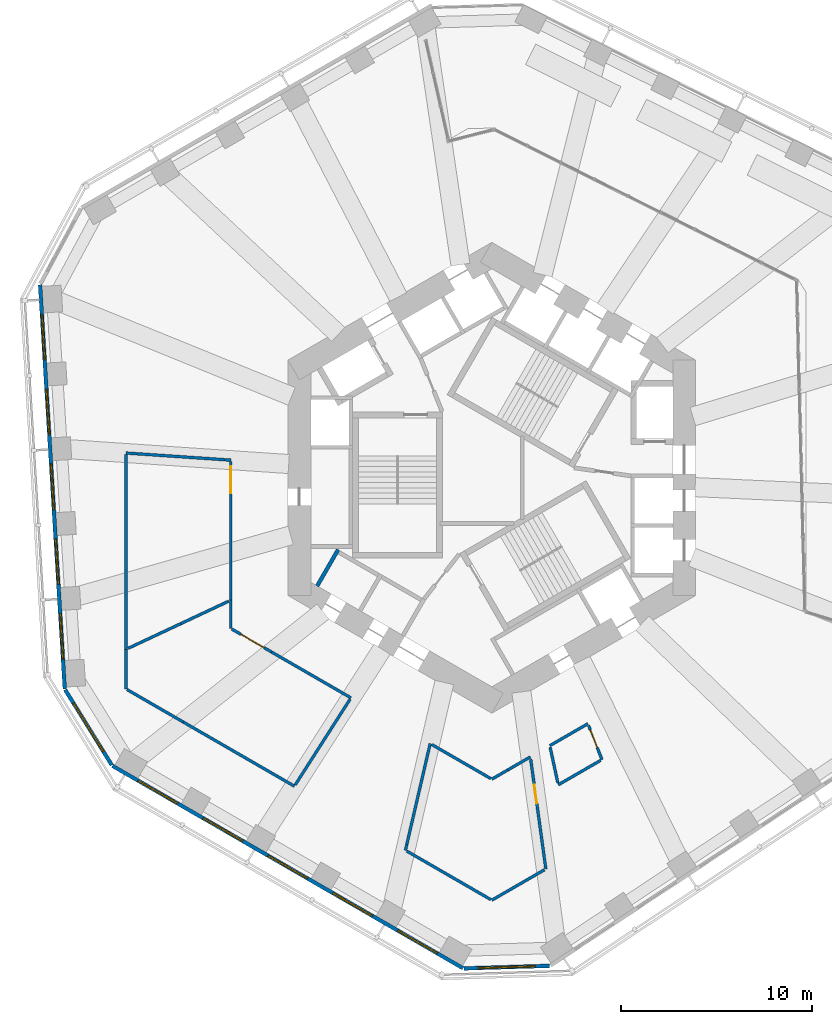
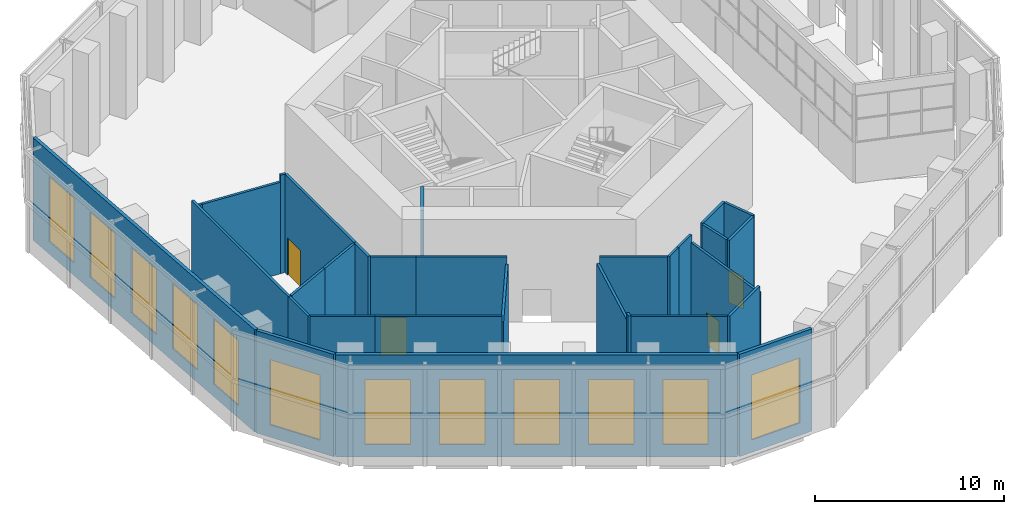
# One storey, part 8 of 17: 31 walls, 12 windows, 4 doors, 16 openings.
"""IFC4 building model written with IfcOpenShell, lengths in metres."""

from ifc_helpers import new_model, si_unit, direction, frame, frame_2d, origin, place, context, subcontext, project, spatial, rectangle, extrude, material, layer, layer_set, type_object, element, fill, save


model = new_model("IFC4")

# Units and contexts
model_context = context("Model", 3, precision=1e-05, world=origin(), true_north=direction((0.0, 1.0)))
body_context = subcontext(model_context, "Body", "Model", "MODEL_VIEW")
ifc_project = project(units=[si_unit("LENGTHUNIT", "METRE"), si_unit("AREAUNIT", "SQUARE_METRE"), si_unit("VOLUMEUNIT", "CUBIC_METRE"), si_unit("PLANEANGLEUNIT", "RADIAN"), si_unit("MASSUNIT", "GRAM", prefix="KILO")], contexts=[model_context])

# Site, building, storey
site_placement = place(None, origin())
site = spatial("IfcSite", under=ifc_project, at=site_placement, CompositionType="ELEMENT")
building_placement = place(site_placement, origin())
building = spatial("IfcBuilding", under=site, at=building_placement, Name="Vanh Sen Convention Tower", CompositionType="ELEMENT")
storey_placement = place(building_placement, frame((0.0, 0.0, 77.0)))
storey = spatial("IfcBuildingStorey", under=building, at=storey_placement, Name="L17", CompositionType="ELEMENT", Elevation=77.0)

# Wall, openings, windows
ifc_material_1 = material(Name="Insulated lightweight infill wall")
ifc_layer_1 = layer(ifc_material_1, 0.199951171875)
ifc_layer_set_1 = layer_set([ifc_layer_1], Name="Insulated lightweight infill wall")
wall_type_1 = type_object("IfcWallType", Name="External wall 200", PredefinedType="STANDARD", material=ifc_layer_set_1)
wall_1_placement = place(storey_placement, frame((-23.712646484375, 10.130859375, 0.0), z_axis=(0.0, 0.0, 1.0), x_axis=(0.061040439785, -0.998135293791, 0.0)))
wall_1 = element("IfcWall", 1, at=wall_1_placement, inside=storey, type_object=wall_type_1, Name="External wall W L17", PredefinedType="STANDARD", context=body_context, shape_type="SweptSolid", body=[
    extrude(rectangle(XDim=21.24609375, YDim=0.199951171875, at=frame_2d((10.623046875, 0.0))), origin(), (0.0, 0.0, 1.0), 6.60009765625),
])
opening_1_placement = place(wall_1_placement, frame((1.552978515625, 0.0, 0.800048828125)))
opening_1 = element("IfcOpeningElement", 2, at=opening_1_placement, cuts=wall_1, Name="Opening WS2-W1", PredefinedType="OPENING", context=body_context, shape_type="SweptSolid", body=[
    extrude(rectangle(XDim=2.39990234375, YDim=4.199951171875, at=frame_2d((1.199951171875, 2.10009765625))), frame((0.0, 0.10986328125, 0.0), z_axis=(0.0, -1.0, 0.0), x_axis=(1.0, 0.0, 0.0)), (0.0, 0.0, 1.0), 0.219970703125),
])
opening_2_placement = place(wall_1_placement, frame((5.48779296875, 0.0, 0.800048828125)))
opening_2 = element("IfcOpeningElement", 3, at=opening_2_placement, cuts=wall_1, Name="Opening WS2-W2", PredefinedType="OPENING", context=body_context, shape_type="SweptSolid", body=[
    extrude(rectangle(XDim=2.39990234375, YDim=4.199951171875, at=frame_2d((1.199951171875, 2.10009765625))), frame((0.0, 0.10986328125, 0.0), z_axis=(0.0, -1.0, 0.0), x_axis=(1.0, 0.0, 0.0)), (0.0, 0.0, 1.0), 0.219970703125),
])
opening_3_placement = place(wall_1_placement, frame((9.42236328125, 0.0, 0.800048828125)))
opening_3 = element("IfcOpeningElement", 4, at=opening_3_placement, cuts=wall_1, Name="Opening WS2-W3", PredefinedType="OPENING", context=body_context, shape_type="SweptSolid", body=[
    extrude(rectangle(XDim=2.39990234375, YDim=4.199951171875, at=frame_2d((1.199951171875, 2.10009765625))), frame((0.0, 0.10986328125, 0.0), z_axis=(0.0, -1.0, 0.0), x_axis=(1.0, 0.0, 0.0)), (0.0, 0.0, 1.0), 0.219970703125),
])
opening_4_placement = place(wall_1_placement, frame((13.35693359375, 0.0, 0.800048828125)))
opening_4 = element("IfcOpeningElement", 5, at=opening_4_placement, cuts=wall_1, Name="Opening WS2-W4", PredefinedType="OPENING", context=body_context, shape_type="SweptSolid", body=[
    extrude(rectangle(XDim=2.39990234375, YDim=4.199951171875, at=frame_2d((1.199951171875, 2.10009765625))), frame((0.0, 0.10986328125, 0.0), z_axis=(0.0, -1.0, 0.0), x_axis=(1.0, 0.0, 0.0)), (0.0, 0.0, 1.0), 0.219970703125),
])
opening_5_placement = place(wall_1_placement, frame((17.29150390625, 0.0, 0.800048828125)))
opening_5 = element("IfcOpeningElement", 6, at=opening_5_placement, cuts=wall_1, Name="Opening WS2-W5", PredefinedType="OPENING", context=body_context, shape_type="SweptSolid", body=[
    extrude(rectangle(XDim=2.39990234375, YDim=4.199951171875, at=frame_2d((1.199951171875, 2.10009765625))), frame((0.0, 0.10986328125, 0.0), z_axis=(0.0, -1.0, 0.0), x_axis=(1.0, 0.0, 0.0)), (0.0, 0.0, 1.0), 0.219970703125),
])
ifc_material_2 = material(Name="Aluminium frame with clear low-emissivity glass", Category="aluminium")
window_type_1 = type_object("IfcWindowType", Name="Sky garden window 2400 x 4200", PartitioningType="SINGLE_PANEL", PredefinedType="WINDOW", material=ifc_material_2)
window_1_placement = place(opening_1_placement, origin())
window_1 = element("IfcWindow", 7, at=window_1_placement, inside=storey, type_object=window_type_1, Name="Window WS2-W1", OverallHeight=4.199951171875, OverallWidth=2.39990234375, PartitioningType="SINGLE_PANEL", PredefinedType="WINDOW", context=body_context, shape_type="SweptSolid", body=[
    extrude(rectangle(XDim=2.39990234375, YDim=4.199951171875, at=frame_2d((1.199951171875, 2.10009765625))), frame((0.0, 0.030029296875, 0.0), z_axis=(0.0, -1.0, 0.0), x_axis=(1.0, 0.0, 0.0)), (0.0, 0.0, 1.0), 0.06005859375),
])
fill(opening_1, window_1)
window_2_placement = place(opening_2_placement, origin())
window_2 = element("IfcWindow", 8, at=window_2_placement, inside=storey, type_object=window_type_1, Name="Window WS2-W2", OverallHeight=4.199951171875, OverallWidth=2.39990234375, PartitioningType="SINGLE_PANEL", PredefinedType="WINDOW", context=body_context, shape_type="SweptSolid", body=[
    extrude(rectangle(XDim=2.39990234375, YDim=4.199951171875, at=frame_2d((1.199951171875, 2.10009765625))), frame((0.0, 0.030029296875, 0.0), z_axis=(0.0, -1.0, 0.0), x_axis=(1.0, 0.0, 0.0)), (0.0, 0.0, 1.0), 0.06005859375),
])
fill(opening_2, window_2)
window_3_placement = place(opening_3_placement, origin())
window_3 = element("IfcWindow", 9, at=window_3_placement, inside=storey, type_object=window_type_1, Name="Window WS2-W3", OverallHeight=4.199951171875, OverallWidth=2.39990234375, PartitioningType="SINGLE_PANEL", PredefinedType="WINDOW", context=body_context, shape_type="SweptSolid", body=[
    extrude(rectangle(XDim=2.39990234375, YDim=4.199951171875, at=frame_2d((1.199951171875, 2.10009765625))), frame((0.0, 0.030029296875, 0.0), z_axis=(0.0, -1.0, 0.0), x_axis=(1.0, 0.0, 0.0)), (0.0, 0.0, 1.0), 0.06005859375),
])
fill(opening_3, window_3)
window_4_placement = place(opening_4_placement, origin())
window_4 = element("IfcWindow", 10, at=window_4_placement, inside=storey, type_object=window_type_1, Name="Window WS2-W4", OverallHeight=4.199951171875, OverallWidth=2.39990234375, PartitioningType="SINGLE_PANEL", PredefinedType="WINDOW", context=body_context, shape_type="SweptSolid", body=[
    extrude(rectangle(XDim=2.39990234375, YDim=4.199951171875, at=frame_2d((1.199951171875, 2.10009765625))), frame((0.0, 0.030029296875, 0.0), z_axis=(0.0, -1.0, 0.0), x_axis=(1.0, 0.0, 0.0)), (0.0, 0.0, 1.0), 0.06005859375),
])
fill(opening_4, window_4)
window_5_placement = place(opening_5_placement, origin())
window_5 = element("IfcWindow", 11, at=window_5_placement, inside=storey, type_object=window_type_1, Name="Window WS2-W5", OverallHeight=4.199951171875, OverallWidth=2.39990234375, PartitioningType="SINGLE_PANEL", PredefinedType="WINDOW", context=body_context, shape_type="SweptSolid", body=[
    extrude(rectangle(XDim=2.39990234375, YDim=4.199951171875, at=frame_2d((1.199951171875, 2.10009765625))), frame((0.0, 0.030029296875, 0.0), z_axis=(0.0, -1.0, 0.0), x_axis=(1.0, 0.0, 0.0)), (0.0, 0.0, 1.0), 0.06005859375),
])
fill(opening_5, window_5)

# Wall, opening, window
wall_2_placement = place(storey_placement, frame((-22.40087890625, -11.122314453125, 0.0), z_axis=(0.0, 0.0, 1.0), x_axis=(0.526197679914, -0.850362276711, 0.0)))
wall_2 = element("IfcWall", 12, at=wall_2_placement, inside=storey, type_object=wall_type_1, Name="External wall CH4 L17", PredefinedType="STANDARD", context=body_context, shape_type="SweptSolid", body=[
    extrude(rectangle(XDim=4.65966796875, YDim=0.199951171875, at=frame_2d((2.329833984375, 0.0))), origin(), (0.0, 0.0, 1.0), 6.60009765625),
])
opening_6_placement = place(wall_2_placement, frame((0.829833984375, 0.0, 0.800048828125)))
opening_6 = element("IfcOpeningElement", 13, at=opening_6_placement, cuts=wall_2, Name="Opening WS1-CH41", PredefinedType="OPENING", context=body_context, shape_type="SweptSolid", body=[
    extrude(rectangle(XDim=3.0, YDim=4.199951171875, at=frame_2d((1.5, 2.10009765625))), frame((0.0, 0.10986328125, 0.0), z_axis=(0.0, -1.0, 0.0), x_axis=(1.0, 0.0, 0.0)), (0.0, 0.0, 1.0), 0.219970703125),
])
window_type_2 = type_object("IfcWindowType", Name="Sky garden window 3000 x 4200", PartitioningType="SINGLE_PANEL", PredefinedType="WINDOW", material=ifc_material_2)
window_6_placement = place(opening_6_placement, origin())
window_6 = element("IfcWindow", 14, at=window_6_placement, inside=storey, type_object=window_type_2, Name="Window WS1-CH41", OverallHeight=4.199951171875, OverallWidth=3.0, PartitioningType="SINGLE_PANEL", PredefinedType="WINDOW", context=body_context, shape_type="SweptSolid", body=[
    extrude(rectangle(XDim=3.0, YDim=4.199951171875, at=frame_2d((1.5, 2.10009765625))), frame((0.0, 0.030029296875, 0.0), z_axis=(0.0, -1.0, 0.0), x_axis=(1.0, 0.0, 0.0)), (0.0, 0.0, 1.0), 0.06005859375),
])
fill(opening_6, window_6)

# Wall, openings, windows
wall_3_placement = place(storey_placement, frame((-19.913818359375, -15.11865234375, 0.0), z_axis=(0.0, 0.0, 1.0), x_axis=(0.866025418898, -0.499999973822, 0.0)))
wall_3 = element("IfcWall", 15, at=wall_3_placement, inside=storey, type_object=wall_type_1, Name="External wall SW L17", PredefinedType="STANDARD", context=body_context, shape_type="SweptSolid", body=[
    extrude(rectangle(XDim=21.24609375, YDim=0.199951171875, at=frame_2d((10.623046875, 0.0))), origin(), (0.0, 0.0, 1.0), 6.60009765625),
])
opening_7_placement = place(wall_3_placement, frame((1.5546875, 0.0, 0.800048828125)))
opening_7 = element("IfcOpeningElement", 16, at=opening_7_placement, cuts=wall_3, Name="Opening WS2-SW1", PredefinedType="OPENING", context=body_context, shape_type="SweptSolid", body=[
    extrude(rectangle(XDim=2.39990234375, YDim=4.199951171875, at=frame_2d((1.199951171875, 2.10009765625))), frame((0.0, 0.10986328125, 0.0), z_axis=(0.0, -1.0, 0.0), x_axis=(1.0, 0.0, 0.0)), (0.0, 0.0, 1.0), 0.219970703125),
])
opening_8_placement = place(wall_3_placement, frame((5.4892578125, 0.0, 0.800048828125)))
opening_8 = element("IfcOpeningElement", 17, at=opening_8_placement, cuts=wall_3, Name="Opening WS2-SW2", PredefinedType="OPENING", context=body_context, shape_type="SweptSolid", body=[
    extrude(rectangle(XDim=2.39990234375, YDim=4.199951171875, at=frame_2d((1.199951171875, 2.10009765625))), frame((0.0, 0.10986328125, 0.0), z_axis=(0.0, -1.0, 0.0), x_axis=(1.0, 0.0, 0.0)), (0.0, 0.0, 1.0), 0.219970703125),
])
opening_9_placement = place(wall_3_placement, frame((9.423828125, 0.0, 0.800048828125)))
opening_9 = element("IfcOpeningElement", 18, at=opening_9_placement, cuts=wall_3, Name="Opening WS2-SW3", PredefinedType="OPENING", context=body_context, shape_type="SweptSolid", body=[
    extrude(rectangle(XDim=2.39990234375, YDim=4.199951171875, at=frame_2d((1.199951171875, 2.10009765625))), frame((0.0, 0.10986328125, 0.0), z_axis=(0.0, -1.0, 0.0), x_axis=(1.0, 0.0, 0.0)), (0.0, 0.0, 1.0), 0.219970703125),
])
opening_10_placement = place(wall_3_placement, frame((13.3583984375, 0.0, 0.800048828125)))
opening_10 = element("IfcOpeningElement", 19, at=opening_10_placement, cuts=wall_3, Name="Opening WS2-SW4", PredefinedType="OPENING", context=body_context, shape_type="SweptSolid", body=[
    extrude(rectangle(XDim=2.39990234375, YDim=4.199951171875, at=frame_2d((1.199951171875, 2.10009765625))), frame((0.0, 0.10986328125, 0.0), z_axis=(0.0, -1.0, 0.0), x_axis=(1.0, 0.0, 0.0)), (0.0, 0.0, 1.0), 0.219970703125),
])
opening_11_placement = place(wall_3_placement, frame((17.293212890625, 0.0, 0.800048828125)))
opening_11 = element("IfcOpeningElement", 20, at=opening_11_placement, cuts=wall_3, Name="Opening WS2-SW5", PredefinedType="OPENING", context=body_context, shape_type="SweptSolid", body=[
    extrude(rectangle(XDim=2.39990234375, YDim=4.199951171875, at=frame_2d((1.199951171875, 2.10009765625))), frame((0.0, 0.10986328125, 0.0), z_axis=(0.0, -1.0, 0.0), x_axis=(1.0, 0.0, 0.0)), (0.0, 0.0, 1.0), 0.219970703125),
])
window_7_placement = place(opening_7_placement, origin())
window_7 = element("IfcWindow", 21, at=window_7_placement, inside=storey, type_object=window_type_1, Name="Window WS2-SW1", OverallHeight=4.199951171875, OverallWidth=2.39990234375, PartitioningType="SINGLE_PANEL", PredefinedType="WINDOW", context=body_context, shape_type="SweptSolid", body=[
    extrude(rectangle(XDim=2.39990234375, YDim=4.199951171875, at=frame_2d((1.199951171875, 2.10009765625))), frame((0.0, 0.030029296875, 0.0), z_axis=(0.0, -1.0, 0.0), x_axis=(1.0, 0.0, 0.0)), (0.0, 0.0, 1.0), 0.06005859375),
])
fill(opening_7, window_7)
window_8_placement = place(opening_8_placement, origin())
window_8 = element("IfcWindow", 22, at=window_8_placement, inside=storey, type_object=window_type_1, Name="Window WS2-SW2", OverallHeight=4.199951171875, OverallWidth=2.39990234375, PartitioningType="SINGLE_PANEL", PredefinedType="WINDOW", context=body_context, shape_type="SweptSolid", body=[
    extrude(rectangle(XDim=2.39990234375, YDim=4.199951171875, at=frame_2d((1.199951171875, 2.10009765625))), frame((0.0, 0.030029296875, 0.0), z_axis=(0.0, -1.0, 0.0), x_axis=(1.0, 0.0, 0.0)), (0.0, 0.0, 1.0), 0.06005859375),
])
fill(opening_8, window_8)
window_9_placement = place(opening_9_placement, origin())
window_9 = element("IfcWindow", 23, at=window_9_placement, inside=storey, type_object=window_type_1, Name="Window WS2-SW3", OverallHeight=4.199951171875, OverallWidth=2.39990234375, PartitioningType="SINGLE_PANEL", PredefinedType="WINDOW", context=body_context, shape_type="SweptSolid", body=[
    extrude(rectangle(XDim=2.39990234375, YDim=4.199951171875, at=frame_2d((1.199951171875, 2.10009765625))), frame((0.0, 0.030029296875, 0.0), z_axis=(0.0, -1.0, 0.0), x_axis=(1.0, 0.0, 0.0)), (0.0, 0.0, 1.0), 0.06005859375),
])
fill(opening_9, window_9)
window_10_placement = place(opening_10_placement, origin())
window_10 = element("IfcWindow", 24, at=window_10_placement, inside=storey, type_object=window_type_1, Name="Window WS2-SW4", OverallHeight=4.199951171875, OverallWidth=2.39990234375, PartitioningType="SINGLE_PANEL", PredefinedType="WINDOW", context=body_context, shape_type="SweptSolid", body=[
    extrude(rectangle(XDim=2.39990234375, YDim=4.199951171875, at=frame_2d((1.199951171875, 2.10009765625))), frame((0.0, 0.030029296875, 0.0), z_axis=(0.0, -1.0, 0.0), x_axis=(1.0, 0.0, 0.0)), (0.0, 0.0, 1.0), 0.06005859375),
])
fill(opening_10, window_10)
window_11_placement = place(opening_11_placement, origin())
window_11 = element("IfcWindow", 25, at=window_11_placement, inside=storey, type_object=window_type_1, Name="Window WS2-SW5", OverallHeight=4.199951171875, OverallWidth=2.39990234375, PartitioningType="SINGLE_PANEL", PredefinedType="WINDOW", context=body_context, shape_type="SweptSolid", body=[
    extrude(rectangle(XDim=2.39990234375, YDim=4.199951171875, at=frame_2d((1.199951171875, 2.10009765625))), frame((0.0, 0.030029296875, 0.0), z_axis=(0.0, -1.0, 0.0), x_axis=(1.0, 0.0, 0.0)), (0.0, 0.0, 1.0), 0.06005859375),
])
fill(opening_11, window_11)

# Wall, opening, window
wall_4_placement = place(storey_placement, frame((-1.461181640625, -25.7548828125, 0.0), z_axis=(0.0, 0.0, 1.0), x_axis=(0.999533823446, 0.030530898895, 0.0)))
wall_4 = element("IfcWall", 26, at=wall_4_placement, inside=storey, type_object=wall_type_1, Name="External wall CH5 L17", PredefinedType="STANDARD", context=body_context, shape_type="SweptSolid", body=[
    extrude(rectangle(XDim=4.494140625, YDim=0.199951171875, at=frame_2d((2.2470703125, 0.0))), origin(), (0.0, 0.0, 1.0), 6.60009765625),
])
opening_12_placement = place(wall_4_placement, frame((0.7470703125, 0.0, 0.800048828125)))
opening_12 = element("IfcOpeningElement", 27, at=opening_12_placement, cuts=wall_4, Name="Opening WS1-CH51", PredefinedType="OPENING", context=body_context, shape_type="SweptSolid", body=[
    extrude(rectangle(XDim=3.0, YDim=4.199951171875, at=frame_2d((1.5, 2.10009765625))), frame((0.0, 0.10986328125, 0.0), z_axis=(0.0, -1.0, 0.0), x_axis=(1.0, 0.0, 0.0)), (0.0, 0.0, 1.0), 0.219970703125),
])
window_12_placement = place(opening_12_placement, origin())
window_12 = element("IfcWindow", 28, at=window_12_placement, inside=storey, type_object=window_type_2, Name="Window WS1-CH51", OverallHeight=4.199951171875, OverallWidth=3.0, PartitioningType="SINGLE_PANEL", PredefinedType="WINDOW", context=body_context, shape_type="SweptSolid", body=[
    extrude(rectangle(XDim=3.0, YDim=4.199951171875, at=frame_2d((1.5, 2.10009765625))), frame((0.0, 0.030029296875, 0.0), z_axis=(0.0, -1.0, 0.0), x_axis=(1.0, 0.0, 0.0)), (0.0, 0.0, 1.0), 0.06005859375),
])
fill(opening_12, window_12)

# Walls
ifc_material_3 = material(Name="Concrete C40/50", Category="concrete")
ifc_layer_2 = layer(ifc_material_3, 0.199951171875)
ifc_layer_set_2 = layer_set([ifc_layer_2], Name="Concrete C40/50")
wall_type_2 = type_object("IfcWallType", Name="Lift shaft wall 200", PredefinedType="PARTITIONING", material=ifc_layer_set_2)
wall_5_placement = place(storey_placement, frame((-8.066650390625, -3.77197265625, 0.0), z_axis=(0.0, 0.0, 1.0), x_axis=(-0.50002983664, -0.866008176907, 0.0)))
element("IfcWall", 29, at=wall_5_placement, inside=storey, type_object=wall_type_2, Name="Lift shaft wall L17", PredefinedType="PARTITIONING", context=body_context, shape_type="SweptSolid", body=[
    extrude(rectangle(XDim=2.199951171875, YDim=0.199951171875, at=frame_2d((1.10009765625, 0.0))), origin(), (0.0, 0.0, 1.0), 6.35009765625),
])
ifc_material_4 = material(Name="Gypsum board on steel studs", Category="steel")
ifc_layer_3 = layer(ifc_material_4, 0.14990234375)
ifc_layer_set_3 = layer_set([ifc_layer_3], Name="Gypsum board on steel studs")
wall_type_3 = type_object("IfcWallType", Name="Partition 150", PredefinedType="PARTITIONING", material=ifc_layer_set_3)
wall_6_placement = place(storey_placement, frame((-0.052001953125, -22.140380859375, 0.0), z_axis=(0.0, 0.0, 1.0), x_axis=(-0.865999697039, 0.500044522747, 0.0)))
element("IfcWall", 30, at=wall_6_placement, inside=storey, type_object=wall_type_3, Name="Partition L17-001", PredefinedType="PARTITIONING", context=body_context, shape_type="SweptSolid", body=[
    extrude(rectangle(XDim=5.09619140625, YDim=0.14990234375, at=frame_2d((2.548095703125, 0.0))), origin(), (0.0, 0.0, 1.0), 6.35009765625),
])
wall_7_placement = place(storey_placement, frame((2.7666015625, -20.572998046875, 0.0), z_axis=(0.0, 0.0, 1.0), x_axis=(-0.866009957911, -0.500026752084, 0.0)))
element("IfcWall", 31, at=wall_7_placement, inside=storey, type_object=wall_type_3, Name="Partition L17-002", PredefinedType="PARTITIONING", context=body_context, shape_type="SweptSolid", body=[
    extrude(rectangle(XDim=3.194580078125, YDim=0.14990234375, at=frame_2d((1.59716796875, 0.0))), origin(), (0.0, 0.0, 1.0), 6.35009765625),
])
wall_8_placement = place(storey_placement, frame((-4.46142578125, -19.236572265625, 0.0), z_axis=(0.0, 0.0, 1.0), x_axis=(-0.225465256554, -0.974251208923, 0.0)))
element("IfcWall", 32, at=wall_8_placement, inside=storey, type_object=wall_type_3, Name="Partition L17-003", PredefinedType="PARTITIONING", context=body_context, shape_type="SweptSolid", body=[
    extrude(rectangle(XDim=0.32373046875, YDim=0.14990234375, at=frame_2d((0.161865234375, 0.0))), origin(), (0.0, 0.0, 1.0), 6.35009765625),
])
wall_9_placement = place(storey_placement, frame((-4.46142578125, -19.236572265625, 0.0), z_axis=(0.0, 0.0, 1.0), x_axis=(0.225940611302, 0.974141078163, 0.0)))
element("IfcWall", 33, at=wall_9_placement, inside=storey, type_object=wall_type_3, Name="Partition L17-004", PredefinedType="PARTITIONING", context=body_context, shape_type="SweptSolid", body=[
    extrude(rectangle(XDim=5.425537109375, YDim=0.14990234375, at=frame_2d((2.712890625, 0.0))), origin(), (0.0, 0.0, 1.0), 5.89990234375),
])
wall_10_placement = place(storey_placement, frame((3.46630859375, -16.017822265625, 0.0), z_axis=(0.0, 0.0, 1.0), x_axis=(-0.211638005679, 0.977348123522, 0.0)))
element("IfcWall", 34, at=wall_10_placement, inside=storey, type_object=wall_type_3, Name="Partition L17-006", PredefinedType="PARTITIONING", context=body_context, shape_type="SweptSolid", body=[
    extrude(rectangle(XDim=1.920654296875, YDim=0.14990234375, at=frame_2d((0.96044921875, 0.0))), origin(), (0.0, 0.0, 1.0), 6.35009765625),
])
wall_11_placement = place(storey_placement, frame((0.0, -15.819580078125, 0.0), z_axis=(0.0, 0.0, 1.0), x_axis=(0.866041454758, 0.499972197867, 0.0)))
element("IfcWall", 35, at=wall_11_placement, inside=storey, type_object=wall_type_3, Name="Partition L17-007", PredefinedType="PARTITIONING", context=body_context, shape_type="SweptSolid", body=[
    extrude(rectangle(XDim=0.958984375, YDim=0.14990234375, at=frame_2d((0.4794921875, 0.0))), origin(), (0.0, 0.0, 1.0), 6.35009765625),
])
wall_12_placement = place(storey_placement, frame((0.83056640625, -15.340087890625, 0.0), z_axis=(0.0, 0.0, 1.0), x_axis=(0.865866779111, 0.500274645401, 0.0)))
element("IfcWall", 36, at=wall_12_placement, inside=storey, type_object=wall_type_3, Name="Partition L17-008", PredefinedType="PARTITIONING", context=body_context, shape_type="SweptSolid", body=[
    extrude(rectangle(XDim=1.377685546875, YDim=0.14990234375, at=frame_2d((0.68896484375, 0.0))), origin(), (0.0, 0.0, 1.0), 6.35009765625),
])
wall_13_placement = place(storey_placement, frame((5.710693359375, -14.83203125, 0.0), z_axis=(0.0, 0.0, 1.0), x_axis=(-0.86603988112, -0.499974923682, 0.0)))
element("IfcWall", 37, at=wall_13_placement, inside=storey, type_object=wall_type_3, Name="Partition L17-009", PredefinedType="PARTITIONING", context=body_context, shape_type="SweptSolid", body=[
    extrude(rectangle(XDim=2.567138671875, YDim=0.14990234375, at=frame_2d((1.28369140625, 0.0))), origin(), (0.0, 0.0, 1.0), 6.35009765625),
])

# Wall, opening, door
wall_14_placement = place(storey_placement, frame((2.0400390625, -14.769775390625, 0.0), z_axis=(0.0, 0.0, 1.0), x_axis=(0.136802116784, -0.990598395337, 0.0)))
wall_14 = element("IfcWall", 38, at=wall_14_placement, inside=storey, type_object=wall_type_3, Name="Partition L17-010", PredefinedType="PARTITIONING", context=body_context, shape_type="SweptSolid", body=[
    extrude(rectangle(XDim=5.81787109375, YDim=0.14990234375, at=frame_2d((2.908935546875, 0.0))), origin(), (0.0, 0.0, 1.0), 5.89990234375),
])
opening_13_placement = place(wall_14_placement, frame((1.35009765625, 0.0, 0.0)))
opening_13 = element("IfcOpeningElement", 39, at=opening_13_placement, cuts=wall_14, Name="Opening D17101", PredefinedType="OPENING", context=body_context, shape_type="SweptSolid", body=[
    extrude(rectangle(XDim=1.0, YDim=2.10009765625, at=frame_2d((0.5, 1.050048828125))), frame((0.0, 0.0849609375, 0.0), z_axis=(0.0, -1.0, 0.0), x_axis=(1.0, 0.0, 0.0)), (0.0, 0.0, 1.0), 0.169921875),
])
ifc_material_5 = material(Name="Timber door in steel frame", Category="steel")
door_type_1 = type_object("IfcDoorType", Name="Room door 1000", OperationType="SINGLE_SWING_LEFT", PredefinedType="DOOR", material=ifc_material_5)
door_1_placement = place(opening_13_placement, origin())
door_1 = element("IfcDoor", 40, at=door_1_placement, inside=storey, type_object=door_type_1, Name="Room door D17101", OperationType="SINGLE_SWING_LEFT", OverallHeight=2.10009765625, OverallWidth=1.0, PredefinedType="DOOR", context=body_context, shape_type="SweptSolid", body=[
    extrude(rectangle(XDim=1.0, YDim=2.10009765625, at=frame_2d((0.5, 1.050048828125))), frame((0.0, 0.02490234375, 0.0), z_axis=(0.0, -1.0, 0.0), x_axis=(1.0, 0.0, 0.0)), (0.0, 0.0, 1.0), 0.050048828125),
])
fill(opening_13, door_1)

# Walls
wall_15_placement = place(storey_placement, frame((3.04296875, -14.0625, 0.0), z_axis=(0.0, 0.0, 1.0), x_axis=(0.866016621662, 0.500015210774, 0.0)))
element("IfcWall", 41, at=wall_15_placement, inside=storey, type_object=wall_type_3, Name="Partition L17-011", PredefinedType="PARTITIONING", context=body_context, shape_type="SweptSolid", body=[
    extrude(rectangle(XDim=2.31005859375, YDim=0.14990234375, at=frame_2d((1.155029296875, 0.0))), origin(), (0.0, 0.0, 1.0), 6.35009765625),
])
wall_16_placement = place(storey_placement, frame((-3.14892578125, -14.00146484375, 0.0), z_axis=(0.0, 0.0, 1.0), x_axis=(0.866016185111, -0.500015966871, 0.0)))
element("IfcWall", 42, at=wall_16_placement, inside=storey, type_object=wall_type_3, Name="Partition L17-012", PredefinedType="PARTITIONING", context=body_context, shape_type="SweptSolid", body=[
    extrude(rectangle(XDim=3.576171875, YDim=0.14990234375, at=frame_2d((1.7880859375, 0.0))), origin(), (0.0, 0.0, 1.0), 6.35009765625),
])

# Wall, opening, door
wall_17_placement = place(storey_placement, frame((5.079833984375, -13.000732421875, 0.0), z_axis=(0.0, 0.0, 1.0), x_axis=(0.364069068896, -0.931371952054, 0.0)))
wall_17 = element("IfcWall", 43, at=wall_17_placement, inside=storey, type_object=wall_type_3, Name="Partition L17-013", PredefinedType="PARTITIONING", context=body_context, shape_type="SweptSolid", body=[
    extrude(rectangle(XDim=1.92333984375, YDim=0.14990234375, at=frame_2d((0.961669921875, 0.0))), origin(), (0.0, 0.0, 1.0), 6.35009765625),
])
opening_14_placement = place(wall_17_placement, frame((0.25, 0.0, 0.0)))
opening_14 = element("IfcOpeningElement", 44, at=opening_14_placement, cuts=wall_17, Name="Opening D17102", PredefinedType="OPENING", context=body_context, shape_type="SweptSolid", body=[
    extrude(rectangle(XDim=1.0, YDim=2.10009765625, at=frame_2d((0.5, 1.050048828125))), frame((0.0, 0.0849609375, 0.0), z_axis=(0.0, -1.0, 0.0), x_axis=(1.0, 0.0, 0.0)), (0.0, 0.0, 1.0), 0.169921875),
])
door_2_placement = place(opening_14_placement, origin())
door_2 = element("IfcDoor", 45, at=door_2_placement, inside=storey, type_object=door_type_1, Name="Room door D17102", OperationType="SINGLE_SWING_LEFT", OverallHeight=2.10009765625, OverallWidth=1.0, PredefinedType="DOOR", context=body_context, shape_type="SweptSolid", body=[
    extrude(rectangle(XDim=1.0, YDim=2.10009765625, at=frame_2d((0.5, 1.050048828125))), frame((0.0, 0.02490234375, 0.0), z_axis=(0.0, -1.0, 0.0), x_axis=(1.0, 0.0, 0.0)), (0.0, 0.0, 1.0), 0.050048828125),
])
fill(opening_14, door_2)

# Walls
ifc_layer_4 = layer(ifc_material_4, 0.14990234375)
ifc_layer_set_4 = layer_set([ifc_layer_4], Name="Gypsum board on steel studs")
wall_type_4 = type_object("IfcWallType", Name="Partition 150 EI 60", PredefinedType="PARTITIONING", material=ifc_layer_set_4)
wall_18_placement = place(storey_placement, frame((-10.363037109375, -16.18701171875, 0.0), z_axis=(0.0, 0.0, 1.0), x_axis=(-0.866017637739, 0.500013450945, 0.0)))
element("IfcWall", 46, at=wall_18_placement, inside=storey, type_object=wall_type_4, Name="Partition L17-005", PredefinedType="PARTITIONING", context=body_context, shape_type="SweptSolid", body=[
    extrude(rectangle(XDim=6.729736328125, YDim=0.14990234375, at=frame_2d((3.36474609375, 0.0))), origin(), (0.0, 0.0, 1.0), 6.35009765625),
])
wall_19_placement = place(storey_placement, frame((-16.191162109375, -12.822265625, 0.0), z_axis=(0.0, 0.0, 1.0), x_axis=(-0.866003391805, 0.500038123928, 0.0)))
element("IfcWall", 47, at=wall_19_placement, inside=storey, type_object=wall_type_4, Name="Partition L17-014", PredefinedType="PARTITIONING", context=body_context, shape_type="SweptSolid", body=[
    extrude(rectangle(XDim=3.414306640625, YDim=0.14990234375, at=frame_2d((1.70703125, 0.0))), origin(), (0.0, 0.0, 1.0), 6.35009765625),
])
wall_20_placement = place(storey_placement, frame((-7.437744140625, -11.617431640625, 0.0), z_axis=(0.0, 0.0, 1.0), x_axis=(-0.539143116803, -0.842214164927, 0.0)))
element("IfcWall", 48, at=wall_20_placement, inside=storey, type_object=wall_type_4, Name="Partition L17-015", PredefinedType="PARTITIONING", context=body_context, shape_type="SweptSolid", body=[
    extrude(rectangle(XDim=5.345703125, YDim=0.14990234375, at=frame_2d((2.6728515625, 0.0))), origin(), (0.0, 0.0, 1.0), 5.89990234375),
])
wall_21_placement = place(storey_placement, frame((-7.39453125, -11.550048828125, 0.0), z_axis=(0.0, 0.0, 1.0), x_axis=(-0.866003544509, 0.500037859464, 0.0)))
element("IfcWall", 49, at=wall_21_placement, inside=storey, type_object=wall_type_4, Name="Partition L17-016", PredefinedType="PARTITIONING", context=body_context, shape_type="SweptSolid", body=[
    extrude(rectangle(XDim=4.802001953125, YDim=0.14990234375, at=frame_2d((2.40087890625, 0.0))), origin(), (0.0, 0.0, 1.0), 6.35009765625),
])
wall_22_placement = place(storey_placement, frame((-19.199951171875, -11.0849609375, 0.0), z_axis=(0.0, 0.0, 1.0), x_axis=(0.0, 1.0, 0.0)))
element("IfcWall", 50, at=wall_22_placement, inside=storey, type_object=wall_type_4, Name="Partition L17-017", PredefinedType="PARTITIONING", context=body_context, shape_type="SweptSolid", body=[
    extrude(rectangle(XDim=2.08154296875, YDim=0.14990234375, at=frame_2d((1.040771484375, 0.0))), origin(), (0.0, 0.0, 1.0), 6.35009765625),
])
wall_23_placement = place(storey_placement, frame((-19.199951171875, -9.00341796875, 0.0), z_axis=(0.0, 0.0, 1.0), x_axis=(0.0, 1.0, 0.0)))
element("IfcWall", 51, at=wall_23_placement, inside=storey, type_object=wall_type_4, Name="Partition L17-018", PredefinedType="PARTITIONING", context=body_context, shape_type="SweptSolid", body=[
    extrude(rectangle(XDim=10.222900390625, YDim=0.14990234375, at=frame_2d((5.111328125, 0.0))), origin(), (0.0, 0.0, 1.0), 6.35009765625),
])

# Wall, opening, door
wall_24_placement = place(storey_placement, frame((-13.64794921875, -7.939453125, 0.0), z_axis=(0.0, 0.0, 1.0), x_axis=(0.866036008249, -0.499981632079, 0.0)))
wall_24 = element("IfcWall", 52, at=wall_24_placement, inside=storey, type_object=wall_type_4, Name="Partition L17-019", PredefinedType="PARTITIONING", context=body_context, shape_type="SweptSolid", body=[
    extrude(rectangle(XDim=2.4189453125, YDim=0.14990234375, at=frame_2d((1.20947265625, 0.0))), origin(), (0.0, 0.0, 1.0), 6.35009765625),
])
opening_15_placement = place(wall_24_placement, frame((0.550048828125, 0.0, 0.0)))
opening_15 = element("IfcOpeningElement", 53, at=opening_15_placement, cuts=wall_24, Name="Opening D17103", PredefinedType="OPENING", context=body_context, shape_type="SweptSolid", body=[
    extrude(rectangle(XDim=1.39990234375, YDim=2.39990234375, at=frame_2d((0.699951171875, 1.199951171875))), frame((0.0, 0.0849609375, 0.0), z_axis=(0.0, -1.0, 0.0), x_axis=(1.0, 0.0, 0.0)), (0.0, 0.0, 1.0), 0.169921875),
])
door_type_2 = type_object("IfcDoorType", Name="Double door 1400 EI 30", OperationType="SINGLE_SWING_LEFT", PredefinedType="DOOR", material=ifc_material_5)
door_3_placement = place(opening_15_placement, origin())
door_3 = element("IfcDoor", 54, at=door_3_placement, inside=storey, type_object=door_type_2, Name="Double door D17103", OperationType="SINGLE_SWING_LEFT", OverallHeight=2.39990234375, OverallWidth=1.39990234375, PredefinedType="DOOR", context=body_context, shape_type="SweptSolid", body=[
    extrude(rectangle(XDim=1.39990234375, YDim=2.39990234375, at=frame_2d((0.699951171875, 1.199951171875))), frame((0.0, 0.02490234375, 0.0), z_axis=(0.0, -1.0, 0.0), x_axis=(1.0, 0.0, 0.0)), (0.0, 0.0, 1.0), 0.050048828125),
])
fill(opening_15, door_3)

# Walls
wall_25_placement = place(storey_placement, frame((-16.327880859375, -7.656982421875, 0.0), z_axis=(0.0, 0.0, 1.0), x_axis=(-0.905421466532, -0.424513801828, 0.0)))
element("IfcWall", 55, at=wall_25_placement, inside=storey, type_object=wall_type_4, Name="Partition L17-020", PredefinedType="PARTITIONING", context=body_context, shape_type="SweptSolid", body=[
    extrude(rectangle(XDim=3.052001953125, YDim=0.14990234375, at=frame_2d((1.52587890625, 0.0))), origin(), (0.0, 0.0, 1.0), 6.35009765625),
])
wall_26_placement = place(storey_placement, frame((-16.327880859375, -7.656982421875, 0.0), z_axis=(0.0, 0.0, 1.0), x_axis=(0.905358810438, 0.424647411815, 0.0)))
element("IfcWall", 56, at=wall_26_placement, inside=storey, type_object=wall_type_4, Name="Partition L17-021", PredefinedType="PARTITIONING", context=body_context, shape_type="SweptSolid", body=[
    extrude(rectangle(XDim=2.78271484375, YDim=0.14990234375, at=frame_2d((1.391357421875, 0.0))), origin(), (0.0, 0.0, 1.0), 6.35009765625),
])
wall_27_placement = place(storey_placement, frame((-13.699951171875, -6.424560546875, 0.0), z_axis=(0.0, 0.0, 1.0), x_axis=(0.0, -1.0, 0.0)))
element("IfcWall", 57, at=wall_27_placement, inside=storey, type_object=wall_type_4, Name="Partition L17-022", PredefinedType="PARTITIONING", context=body_context, shape_type="SweptSolid", body=[
    extrude(rectangle(XDim=1.48486328125, YDim=0.14990234375, at=frame_2d((0.742431640625, 0.0))), origin(), (0.0, 0.0, 1.0), 6.35009765625),
])

# Wall, opening, door
wall_28_placement = place(storey_placement, frame((-13.699951171875, 0.846923828125, 0.0), z_axis=(0.0, 0.0, 1.0), x_axis=(0.0, -1.0, 0.0)))
wall_28 = element("IfcWall", 58, at=wall_28_placement, inside=storey, type_object=wall_type_4, Name="Partition L17-023", PredefinedType="PARTITIONING", context=body_context, shape_type="SweptSolid", body=[
    extrude(rectangle(XDim=7.271484375, YDim=0.14990234375, at=frame_2d((3.6357421875, 0.0))), origin(), (0.0, 0.0, 1.0), 6.35009765625),
])
opening_16_placement = place(wall_28_placement, frame((0.25, 0.0, 0.0)))
opening_16 = element("IfcOpeningElement", 59, at=opening_16_placement, cuts=wall_28, Name="Opening D17104", PredefinedType="OPENING", context=body_context, shape_type="SweptSolid", body=[
    extrude(rectangle(XDim=1.39990234375, YDim=2.39990234375, at=frame_2d((0.699951171875, 1.199951171875))), frame((0.0, 0.0849609375, 0.0), z_axis=(0.0, -1.0, 0.0), x_axis=(1.0, 0.0, 0.0)), (0.0, 0.0, 1.0), 0.169921875),
])
door_4_placement = place(opening_16_placement, origin())
door_4 = element("IfcDoor", 60, at=door_4_placement, inside=storey, type_object=door_type_2, Name="Double door D17104", OperationType="SINGLE_SWING_LEFT", OverallHeight=2.39990234375, OverallWidth=1.39990234375, PredefinedType="DOOR", context=body_context, shape_type="SweptSolid", body=[
    extrude(rectangle(XDim=1.39990234375, YDim=2.39990234375, at=frame_2d((0.699951171875, 1.199951171875))), frame((0.0, 0.02490234375, 0.0), z_axis=(0.0, -1.0, 0.0), x_axis=(1.0, 0.0, 0.0)), (0.0, 0.0, 1.0), 0.050048828125),
])
fill(opening_16, door_4)

# Walls
wall_29_placement = place(storey_placement, frame((-14.019287109375, 0.948486328125, 0.0), z_axis=(0.0, 0.0, 1.0), x_axis=(0.997744470155, -0.067126539276, 0.0)))
element("IfcWall", 61, at=wall_29_placement, inside=storey, type_object=wall_type_4, Name="Partition L17-024", PredefinedType="PARTITIONING", context=body_context, shape_type="SweptSolid", body=[
    extrude(rectangle(XDim=0.320068359375, YDim=0.14990234375, at=frame_2d((0.16015625, 0.0))), origin(), (0.0, 0.0, 1.0), 6.35009765625),
])
wall_30_placement = place(storey_placement, frame((-18.62060546875, 1.260009765625, 0.0), z_axis=(0.0, 0.0, 1.0), x_axis=(0.99771599521, -0.067548448554, 0.0)))
element("IfcWall", 62, at=wall_30_placement, inside=storey, type_object=wall_type_4, Name="Partition L17-025", PredefinedType="PARTITIONING", context=body_context, shape_type="SweptSolid", body=[
    extrude(rectangle(XDim=4.61181640625, YDim=0.14990234375, at=frame_2d((2.305908203125, 0.0))), origin(), (0.0, 0.0, 1.0), 5.89990234375),
])
wall_31_placement = place(storey_placement, frame((-18.62060546875, 1.260009765625, 0.0), z_axis=(0.0, 0.0, 1.0), x_axis=(-0.997677852721, 0.068109486785, 0.0)))
element("IfcWall", 63, at=wall_31_placement, inside=storey, type_object=wall_type_4, Name="Partition L17-026", PredefinedType="PARTITIONING", context=body_context, shape_type="SweptSolid", body=[
    extrude(rectangle(XDim=0.580810546875, YDim=0.14990234375, at=frame_2d((0.29052734375, 0.0))), origin(), (0.0, 0.0, 1.0), 5.89990234375),
])

save(model, "model.ifc")
